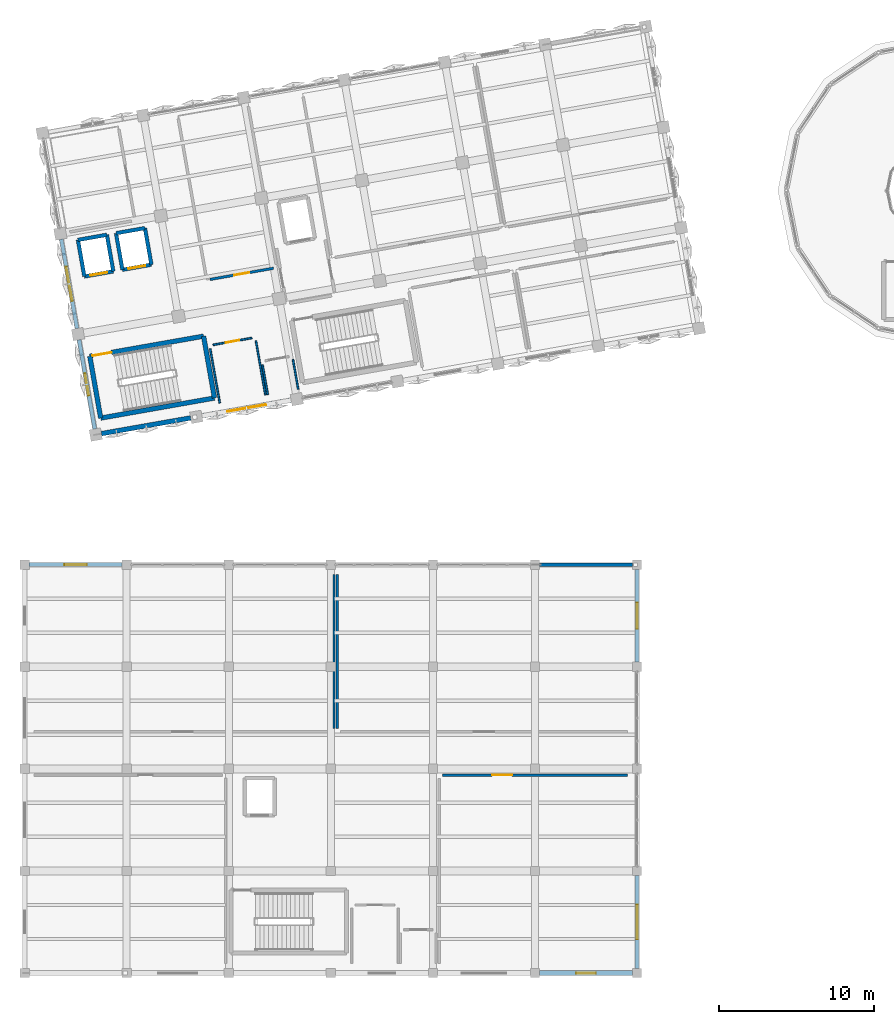
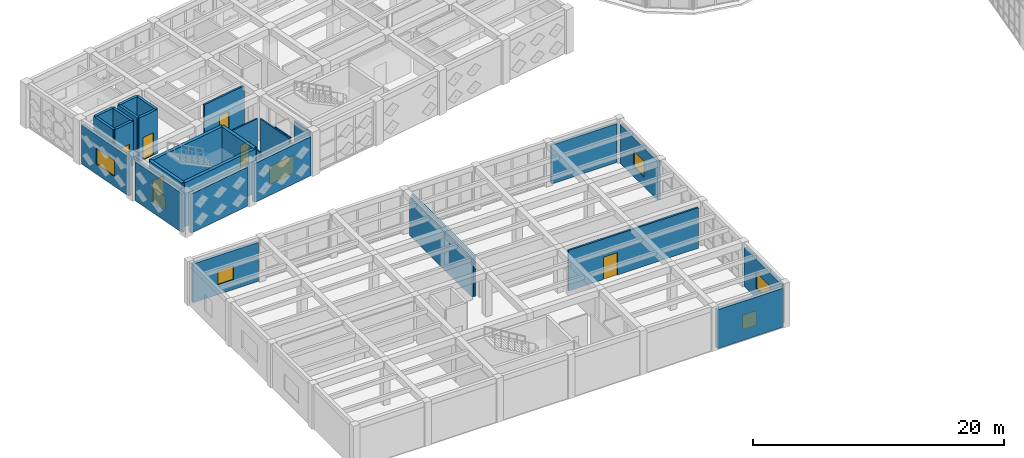
# One storey, part 66 of 80: 30 walls, 7 windows, 6 doors, 13 openings.
"""IFC4 building model written with IfcOpenShell, lengths in metres."""

from ifc_helpers import new_model, si_unit, direction, frame, frame_2d, origin, place, context, subcontext, project, spatial, rectangle, extrude, material, layer, layer_set, type_object, element, fill, save


model = new_model("IFC4")

# Units and contexts
model_context = context("Model", 3, precision=1e-05, world=origin(), true_north=direction((0.0, 1.0)))
body_context = subcontext(model_context, "Body", "Model", "MODEL_VIEW")
ifc_project = project(units=[si_unit("LENGTHUNIT", "METRE"), si_unit("AREAUNIT", "SQUARE_METRE"), si_unit("VOLUMEUNIT", "CUBIC_METRE"), si_unit("PLANEANGLEUNIT", "RADIAN"), si_unit("MASSUNIT", "GRAM", prefix="KILO")], contexts=[model_context])

# Site, building, storey
site_placement = place(None, origin())
site = spatial("IfcSite", under=ifc_project, at=site_placement, CompositionType="ELEMENT")
building_placement = place(site_placement, origin())
building = spatial("IfcBuilding", under=site, at=building_placement, Name="Kharisveld Research Institute", CompositionType="ELEMENT")
storey_placement = place(building_placement, frame((0.0, 0.0, 5.10009765625)))
storey = spatial("IfcBuildingStorey", under=building, at=storey_placement, Name="L01", CompositionType="ELEMENT", Elevation=5.10009765625)

# Walls
ifc_material_1 = material(Name="Flush Pharmaceutical Panel", Category="mineral")
ifc_layer_1 = layer(ifc_material_1, 0.155029296875)
ifc_layer_set_1 = layer_set([ifc_layer_1], Name="WL_CLN_155")
wall_type_1 = type_object("IfcWallType", Name="WL_CLN_155", PredefinedType="PARTITIONING", material=ifc_layer_set_1)
wall_1_placement = place(storey_placement, frame((20.60009765625, 16.02001953125, 0.0), z_axis=(0.0, 0.0, 1.0), x_axis=(0.0, 1.0, 0.0)))
element("IfcWall", 1, at=wall_1_placement, inside=storey, type_object=wall_type_1, Name="WL:RM:V3:L01:CR7:E", PredefinedType="PARTITIONING", context=body_context, shape_type="SweptSolid", body=[
    extrude(rectangle(XDim=9.9599609375, YDim=0.155029296875, at=frame_2d((4.97998046875, 0.0))), origin(), (0.0, 0.0, 1.0), 3.635009765625),
])
ifc_material_2 = material(Name="Concrete C40/50", Category="concrete")
ifc_layer_2 = layer(ifc_material_2, 0.239990234375)
ifc_layer_set_2 = layer_set([ifc_layer_2], Name="WL_CORE_240")
wall_type_2 = type_object("IfcWallType", Name="WL_CORE_240", PredefinedType="SHEAR", material=ifc_layer_set_2)
wall_2_placement = place(storey_placement, frame((4.462890625, 45.2373046875, 0.0), z_axis=(0.0, 0.0, 1.0), x_axis=(-0.173646056486, 0.984808127031, 0.0)))
element("IfcWall", 2, at=wall_2_placement, inside=storey, type_object=wall_type_2, Name="WL:LFT:PL-01:L01:W", PredefinedType="SHEAR", context=body_context, shape_type="SweptSolid", body=[
    extrude(rectangle(XDim=2.39990234375, YDim=0.239990234375, at=frame_2d((1.199951171875, 0.0))), origin(), (0.0, 0.0, 1.0), 4.27978515625),
])
wall_3_placement = place(storey_placement, frame((4.046142578125, 47.600830078125, 0.0), z_axis=(0.0, 0.0, 1.0), x_axis=(0.984793905749, 0.173726691098, 0.0)))
element("IfcWall", 3, at=wall_3_placement, inside=storey, type_object=wall_type_2, Name="WL:LFT:PL-01:L01:N", PredefinedType="SHEAR", context=body_context, shape_type="SweptSolid", body=[
    extrude(rectangle(XDim=1.89990234375, YDim=0.239990234375, at=frame_2d((0.949951171875, 0.0))), origin(), (0.0, 0.0, 1.0), 4.27978515625),
])
wall_4_placement = place(storey_placement, frame((5.917236328125, 47.930908203125, 0.0), z_axis=(0.0, 0.0, 1.0), x_axis=(0.173646056486, -0.984808127031, 0.0)))
element("IfcWall", 4, at=wall_4_placement, inside=storey, type_object=wall_type_2, Name="WL:LFT:PL-01:L01:E", PredefinedType="SHEAR", context=body_context, shape_type="SweptSolid", body=[
    extrude(rectangle(XDim=2.39990234375, YDim=0.239990234375, at=frame_2d((1.199951171875, 0.0))), origin(), (0.0, 0.0, 1.0), 4.27978515625),
])

# Wall, opening, door
wall_5_placement = place(storey_placement, frame((6.333984375, 45.5673828125, 0.0), z_axis=(0.0, 0.0, 1.0), x_axis=(-0.984793905749, -0.173726691098, 0.0)))
wall_5 = element("IfcWall", 5, at=wall_5_placement, inside=storey, type_object=wall_type_2, Name="WL:LFT:PL-01:L01:S", PredefinedType="SHEAR", context=body_context, shape_type="SweptSolid", body=[
    extrude(rectangle(XDim=1.89990234375, YDim=0.239990234375, at=frame_2d((0.949951171875, 0.0))), origin(), (0.0, 0.0, 1.0), 4.27978515625),
])
opening_1_placement = place(wall_5_placement, frame((0.39990234375, 0.0, 0.0)))
opening_1 = element("IfcOpeningElement", 6, at=opening_1_placement, cuts=wall_5, Name="Opening LD-01", PredefinedType="OPENING", context=body_context, shape_type="SweptSolid", body=[
    extrude(rectangle(XDim=1.10009765625, YDim=2.199951171875, at=frame_2d((0.550048828125, 1.10009765625))), frame((0.0, 0.1201171875, 0.0), z_axis=(0.0, -1.0, 0.0), x_axis=(1.0, 0.0, 0.0)), (0.0, 0.0, 1.0), 0.239990234375),
])
ifc_material_3 = material(Name="Flush Painted Hardwood and Anodised Aluminium", Category="wood")
door_type_1 = type_object("IfcDoorType", Name="DR_LFT_110", OperationType="SLIDING_TO_LEFT", PredefinedType="DOOR", material=ifc_material_3)
door_1_placement = place(opening_1_placement, origin())
door_1 = element("IfcDoor", 7, at=door_1_placement, inside=storey, type_object=door_type_1, Name="PL-01 Lift Landing Door L01", OperationType="SLIDING_TO_LEFT", OverallHeight=2.199951171875, OverallWidth=1.10009765625, PredefinedType="DOOR", context=body_context, shape_type="SweptSolid", body=[
    extrude(rectangle(XDim=1.10009765625, YDim=2.199951171875, at=frame_2d((0.550048828125, 1.10009765625))), frame((0.0, 0.02490234375, 0.0), z_axis=(0.0, -1.0, 0.0), x_axis=(1.0, 0.0, 0.0)), (0.0, 0.0, 1.0), 0.050048828125),
])
fill(opening_1, door_1)

# Walls
wall_6_placement = place(storey_placement, frame((6.9248046875, 45.67138671875, 0.0), z_axis=(0.0, 0.0, 1.0), x_axis=(-0.173646056486, 0.984808127031, 0.0)))
element("IfcWall", 8, at=wall_6_placement, inside=storey, type_object=wall_type_2, Name="WL:LFT:PL-02:L01:W", PredefinedType="SHEAR", context=body_context, shape_type="SweptSolid", body=[
    extrude(rectangle(XDim=2.39990234375, YDim=0.239990234375, at=frame_2d((1.199951171875, 0.0))), origin(), (0.0, 0.0, 1.0), 4.27978515625),
])
wall_7_placement = place(storey_placement, frame((6.508056640625, 48.034912109375, 0.0), z_axis=(0.0, 0.0, 1.0), x_axis=(0.984793905749, 0.173726691098, 0.0)))
element("IfcWall", 9, at=wall_7_placement, inside=storey, type_object=wall_type_2, Name="WL:LFT:PL-02:L01:N", PredefinedType="SHEAR", context=body_context, shape_type="SweptSolid", body=[
    extrude(rectangle(XDim=1.89990234375, YDim=0.239990234375, at=frame_2d((0.949951171875, 0.0))), origin(), (0.0, 0.0, 1.0), 4.27978515625),
])
wall_8_placement = place(storey_placement, frame((8.379150390625, 48.364990234375, 0.0), z_axis=(0.0, 0.0, 1.0), x_axis=(0.173646056486, -0.984808127031, 0.0)))
element("IfcWall", 10, at=wall_8_placement, inside=storey, type_object=wall_type_2, Name="WL:LFT:PL-02:L01:E", PredefinedType="SHEAR", context=body_context, shape_type="SweptSolid", body=[
    extrude(rectangle(XDim=2.39990234375, YDim=0.239990234375, at=frame_2d((1.199951171875, 0.0))), origin(), (0.0, 0.0, 1.0), 4.27978515625),
])

# Wall, opening, door
wall_9_placement = place(storey_placement, frame((8.7958984375, 46.00146484375, 0.0), z_axis=(0.0, 0.0, 1.0), x_axis=(-0.984793905749, -0.173726691098, 0.0)))
wall_9 = element("IfcWall", 11, at=wall_9_placement, inside=storey, type_object=wall_type_2, Name="WL:LFT:PL-02:L01:S", PredefinedType="SHEAR", context=body_context, shape_type="SweptSolid", body=[
    extrude(rectangle(XDim=1.89990234375, YDim=0.239990234375, at=frame_2d((0.949951171875, 0.0))), origin(), (0.0, 0.0, 1.0), 4.27978515625),
])
opening_2_placement = place(wall_9_placement, frame((0.39990234375, 0.0, 0.0)))
opening_2 = element("IfcOpeningElement", 12, at=opening_2_placement, cuts=wall_9, Name="Opening LD-01", PredefinedType="OPENING", context=body_context, shape_type="SweptSolid", body=[
    extrude(rectangle(XDim=1.10009765625, YDim=2.199951171875, at=frame_2d((0.550048828125, 1.10009765625))), frame((0.0, 0.1201171875, 0.0), z_axis=(0.0, -1.0, 0.0), x_axis=(1.0, 0.0, 0.0)), (0.0, 0.0, 1.0), 0.239990234375),
])
door_2_placement = place(opening_2_placement, origin())
door_2 = element("IfcDoor", 13, at=door_2_placement, inside=storey, type_object=door_type_1, Name="PL-02 Lift Landing Door L01", OperationType="SLIDING_TO_LEFT", OverallHeight=2.199951171875, OverallWidth=1.10009765625, PredefinedType="DOOR", context=body_context, shape_type="SweptSolid", body=[
    extrude(rectangle(XDim=1.10009765625, YDim=2.199951171875, at=frame_2d((0.550048828125, 1.10009765625))), frame((0.0, 0.02490234375, 0.0), z_axis=(0.0, -1.0, 0.0), x_axis=(1.0, 0.0, 0.0)), (0.0, 0.0, 1.0), 0.050048828125),
])
fill(opening_2, door_2)

# Wall
ifc_material_4 = material(Name="Concrete C40/50", Category="concrete")
ifc_layer_3 = layer(ifc_material_4, 0.300048828125)
ifc_layer_set_3 = layer_set([ifc_layer_3], Name="WL_CORE_300")
wall_type_3 = type_object("IfcWallType", Name="WL_CORE_300", PredefinedType="SHEAR", material=ifc_layer_set_3)
wall_10_placement = place(storey_placement, frame((5.518798828125, 36.08154296875, 0.0), z_axis=(0.0, 0.0, 1.0), x_axis=(-0.173665267602, 0.984804739443, 0.0)))
element("IfcWall", 14, at=wall_10_placement, inside=storey, type_object=wall_type_3, Name="WL:STR:ST1:L01:W", PredefinedType="SHEAR", context=body_context, shape_type="SweptSolid", body=[
    extrude(rectangle(XDim=4.06005859375, YDim=0.300048828125, at=frame_2d((2.030029296875, 0.0))), origin(), (0.0, 0.0, 1.0), 4.27978515625),
])

# Wall, opening, door
wall_11_placement = place(storey_placement, frame((4.813720703125, 40.079833984375, 0.0), z_axis=(0.0, 0.0, 1.0), x_axis=(0.984802636214, 0.173677193974, 0.0)))
wall_11 = element("IfcWall", 15, at=wall_11_placement, inside=storey, type_object=wall_type_3, Name="WL:STR:ST1:L01:N", PredefinedType="SHEAR", context=body_context, shape_type="SweptSolid", body=[
    extrude(rectangle(XDim=7.469970703125, YDim=0.300048828125, at=frame_2d((3.73486328125, 0.0))), origin(), (0.0, 0.0, 1.0), 4.27978515625),
])
opening_3_placement = place(wall_11_placement, frame((0.179931640625, 0.0, 0.0)))
opening_3 = element("IfcOpeningElement", 16, at=opening_3_placement, cuts=wall_11, Name="Opening DS-003", PredefinedType="OPENING", context=body_context, shape_type="SweptSolid", body=[
    extrude(rectangle(XDim=1.239990234375, YDim=2.14990234375, at=frame_2d((0.6201171875, 1.074951171875))), frame((0.0, 0.14990234375, 0.0), z_axis=(0.0, -1.0, 0.0), x_axis=(1.0, 0.0, 0.0)), (0.0, 0.0, 1.0), 0.300048828125),
])
ifc_material_5 = material(Name="Flush Painted Hardwood and Anodised Aluminium", Category="wood")
door_type_2 = type_object("IfcDoorType", Name="DR_FD60_124", OperationType="NOTDEFINED", PredefinedType="DOOR", material=ifc_material_5)
door_3_placement = place(opening_3_placement, origin())
door_3 = element("IfcDoor", 17, at=door_3_placement, inside=storey, type_object=door_type_2, Name="DR:STR:ST1:L01", OperationType="SINGLE_SWING_RIGHT", OverallHeight=2.14990234375, OverallWidth=1.239990234375, PredefinedType="DOOR", context=body_context, shape_type="SweptSolid", body=[
    extrude(rectangle(XDim=1.239990234375, YDim=2.14990234375, at=frame_2d((0.6201171875, 1.074951171875))), frame((0.0, 0.02490234375, 0.0), z_axis=(0.0, -1.0, 0.0), x_axis=(1.0, 0.0, 0.0)), (0.0, 0.0, 1.0), 0.050048828125),
])
fill(opening_3, door_3)

# Walls
wall_12_placement = place(storey_placement, frame((12.170166015625, 41.377197265625, 0.0), z_axis=(0.0, 0.0, 1.0), x_axis=(0.173654983803, -0.984806552883, 0.0)))
element("IfcWall", 18, at=wall_12_placement, inside=storey, type_object=wall_type_3, Name="WL:STR:ST1:L01:E", PredefinedType="SHEAR", context=body_context, shape_type="SweptSolid", body=[
    extrude(rectangle(XDim=4.060302734375, YDim=0.300048828125, at=frame_2d((2.0302734375, 0.0))), origin(), (0.0, 0.0, 1.0), 4.27978515625),
])
wall_13_placement = place(storey_placement, frame((12.875244140625, 37.378662109375, 0.0), z_axis=(0.0, 0.0, 1.0), x_axis=(-0.984808225754, -0.173645496596, 0.0)))
element("IfcWall", 19, at=wall_13_placement, inside=storey, type_object=wall_type_3, Name="WL:STR:ST1:L01:S", PredefinedType="SHEAR", context=body_context, shape_type="SweptSolid", body=[
    extrude(rectangle(XDim=7.469970703125, YDim=0.300048828125, at=frame_2d((3.73486328125, 0.0))), origin(), (0.0, 0.0, 1.0), 4.27978515625),
])

# Wall, opening, window
ifc_material_6 = material(Name="Lightweight Acoustic Spandrel", Category="mineral")
ifc_layer_4 = layer(ifc_material_6, 0.2451171875)
ifc_layer_set_4 = layer_set([ifc_layer_4], Name="WL_EXT_245")
wall_type_4 = type_object("IfcWallType", Name="WL_EXT_245", PredefinedType="STANDARD", material=ifc_layer_set_4)
wall_14_placement = place(storey_placement, frame((3.98974609375, 41.8740234375, 0.0), z_axis=(0.0, 0.0, 1.0), x_axis=(-0.1736474839, 0.984807875342, 0.0)))
wall_14 = element("IfcWall", 20, at=wall_14_placement, inside=storey, type_object=wall_type_4, Name="WL:V1:L01:W1", PredefinedType="STANDARD", context=body_context, shape_type="SweptSolid", body=[
    extrude(rectangle(XDim=5.860107421875, YDim=0.2451171875, at=frame_2d((2.93017578125, 0.0))), origin(), (0.0, 0.0, 1.0), 3.794921875),
])
opening_4_placement = place(wall_14_placement, frame((1.804931640625, 0.0, 0.949951171875)))
opening_4 = element("IfcOpeningElement", 21, at=opening_4_placement, cuts=wall_14, Name="Opening WN-14", PredefinedType="OPENING", context=body_context, shape_type="SweptSolid", body=[
    extrude(rectangle(XDim=2.25, YDim=1.550048828125, at=frame_2d((1.125, 0.77490234375))), frame((0.0, 0.12255859375, 0.0), z_axis=(0.0, -1.0, 0.0), x_axis=(1.0, 0.0, 0.0)), (0.0, 0.0, 1.0), 0.2451171875),
])
ifc_material_7 = material(Name="Low-E Double Glazing", Category="glass")
window_type_1 = type_object("IfcWindowType", Name="WN_14", PartitioningType="DOUBLE_PANEL_VERTICAL", PredefinedType="WINDOW", material=ifc_material_7)
window_1_placement = place(opening_4_placement, origin())
window_1 = element("IfcWindow", 22, at=window_1_placement, inside=storey, type_object=window_type_1, Name="WN:V1:L01:W1", OverallHeight=1.550048828125, OverallWidth=2.25, PartitioningType="SINGLE_PANEL", PredefinedType="WINDOW", context=body_context, shape_type="SweptSolid", body=[
    extrude(rectangle(XDim=2.25, YDim=1.550048828125, at=frame_2d((1.125, 0.77490234375))), frame((0.0, 0.030029296875, 0.0), z_axis=(0.0, -1.0, 0.0), x_axis=(1.0, 0.0, 0.0)), (0.0, 0.0, 1.0), 0.06005859375),
])
fill(opening_4, window_1)

# Wall
wall_15_placement = place(storey_placement, frame((33.89501953125, 26.60009765625, 0.0), z_axis=(0.0, 0.0, 1.0), x_axis=(1.0, 0.0, 0.0)))
element("IfcWall", 23, at=wall_15_placement, inside=storey, type_object=wall_type_4, Name="WL:V3:L01:N5", PredefinedType="STANDARD", context=body_context, shape_type="SweptSolid", body=[
    extrude(rectangle(XDim=6.010009765625, YDim=0.2451171875, at=frame_2d((3.0048828125, 0.0))), origin(), (0.0, 0.0, 1.0), 3.784912109375),
])

# Wall, opening, window
wall_16_placement = place(storey_placement, frame((40.199951171875, 6.5048828125, 0.0), z_axis=(0.0, 0.0, 1.0), x_axis=(0.0, -1.0, 0.0)))
wall_16 = element("IfcWall", 24, at=wall_16_placement, inside=storey, type_object=wall_type_4, Name="WL:V3:L01:E1", PredefinedType="STANDARD", context=body_context, shape_type="SweptSolid", body=[
    extrude(rectangle(XDim=6.009765625, YDim=0.2451171875, at=frame_2d((3.0048828125, 0.0))), origin(), (0.0, 0.0, 1.0), 3.784912109375),
])
opening_5_placement = place(wall_16_placement, frame((1.8798828125, 0.0, 0.949951171875)))
opening_5 = element("IfcOpeningElement", 25, at=opening_5_placement, cuts=wall_16, Name="Opening WN-14", PredefinedType="OPENING", context=body_context, shape_type="SweptSolid", body=[
    extrude(rectangle(XDim=2.25, YDim=1.550048828125, at=frame_2d((1.125, 0.77490234375))), frame((0.0, 0.12255859375, 0.0), z_axis=(0.0, -1.0, 0.0), x_axis=(1.0, 0.0, 0.0)), (0.0, 0.0, 1.0), 0.2451171875),
])
window_2_placement = place(opening_5_placement, origin())
window_2 = element("IfcWindow", 26, at=window_2_placement, inside=storey, type_object=window_type_1, Name="WN:V3:L01:E1", OverallHeight=1.550048828125, OverallWidth=2.25, PartitioningType="SINGLE_PANEL", PredefinedType="WINDOW", context=body_context, shape_type="SweptSolid", body=[
    extrude(rectangle(XDim=2.25, YDim=1.550048828125, at=frame_2d((1.125, 0.77490234375))), frame((0.0, 0.030029296875, 0.0), z_axis=(0.0, -1.0, 0.0), x_axis=(1.0, 0.0, 0.0)), (0.0, 0.0, 1.0), 0.06005859375),
])
fill(opening_5, window_2)

ifc_material_8 = material(Name="Precast Concrete C40/50 Thermal Wall", Category="concrete")
ifc_layer_5 = layer(ifc_material_8, 0.260009765625)
ifc_layer_set_5 = layer_set([ifc_layer_5], Name="WL_EXT_260")
wall_type_5 = type_object("IfcWallType", Name="WL_EXT_260", PredefinedType="STANDARD", material=ifc_layer_set_5)
wall_17_placement = place(storey_placement, frame((5.1357421875, 35.374267578125, 0.0), z_axis=(0.0, 0.0, 1.0), x_axis=(-0.1736474839, 0.984807875342, 0.0)))
wall_17 = element("IfcWall", 27, at=wall_17_placement, inside=storey, type_object=wall_type_5, Name="WL:V1:L01:W0", PredefinedType="STANDARD", context=body_context, shape_type="SweptSolid", body=[
    extrude(rectangle(XDim=5.860107421875, YDim=0.260009765625, at=frame_2d((2.93017578125, 0.0))), origin(), (0.0, 0.0, 1.0), 3.794921875),
])
opening_6_placement = place(wall_17_placement, frame((2.205078125, 0.0, 0.949951171875)))
opening_6 = element("IfcOpeningElement", 28, at=opening_6_placement, cuts=wall_17, Name="Opening WN-13", PredefinedType="OPENING", context=body_context, shape_type="SweptSolid", body=[
    extrude(rectangle(XDim=1.449951171875, YDim=1.35009765625, at=frame_2d((0.72509765625, 0.675048828125))), frame((0.0, 0.1298828125, 0.0), z_axis=(0.0, -1.0, 0.0), x_axis=(1.0, 0.0, 0.0)), (0.0, 0.0, 1.0), 0.260009765625),
])
ifc_material_9 = material(Name="Low-E Double Glazing", Category="glass")
window_type_2 = type_object("IfcWindowType", Name="WN_13", PartitioningType="DOUBLE_PANEL_VERTICAL", PredefinedType="WINDOW", material=ifc_material_9)
window_3_placement = place(opening_6_placement, origin())
window_3 = element("IfcWindow", 29, at=window_3_placement, inside=storey, type_object=window_type_2, Name="WN:V1:L01:W0", OverallHeight=1.35009765625, OverallWidth=1.449951171875, PartitioningType="SINGLE_PANEL", PredefinedType="WINDOW", context=body_context, shape_type="SweptSolid", body=[
    extrude(rectangle(XDim=1.449951171875, YDim=1.35009765625, at=frame_2d((0.72509765625, 0.675048828125))), frame((0.0, 0.030029296875, 0.0), z_axis=(0.0, -1.0, 0.0), x_axis=(1.0, 0.0, 0.0)), (0.0, 0.0, 1.0), 0.06005859375),
])
fill(opening_6, window_3)

wall_18_placement = place(storey_placement, frame((0.89501953125, 26.60009765625, 0.0), z_axis=(0.0, 0.0, 1.0), x_axis=(1.0, 0.0, 0.0)))
wall_18 = element("IfcWall", 30, at=wall_18_placement, inside=storey, type_object=wall_type_5, Name="WL:V3:L01:N0", PredefinedType="STANDARD", context=body_context, shape_type="SweptSolid", body=[
    extrude(rectangle(XDim=6.010009765625, YDim=0.260009765625, at=frame_2d((3.0048828125, 0.0))), origin(), (0.0, 0.0, 1.0), 3.784912109375),
])
opening_7_placement = place(wall_18_placement, frame((2.280029296875, 0.0, 0.949951171875)))
opening_7 = element("IfcOpeningElement", 31, at=opening_7_placement, cuts=wall_18, Name="Opening WN-13", PredefinedType="OPENING", context=body_context, shape_type="SweptSolid", body=[
    extrude(rectangle(XDim=1.449951171875, YDim=1.35009765625, at=frame_2d((0.72509765625, 0.675048828125))), frame((0.0, 0.1298828125, 0.0), z_axis=(0.0, -1.0, 0.0), x_axis=(1.0, 0.0, 0.0)), (0.0, 0.0, 1.0), 0.260009765625),
])
window_4_placement = place(opening_7_placement, origin())
window_4 = element("IfcWindow", 32, at=window_4_placement, inside=storey, type_object=window_type_2, Name="WN:V3:L01:N0", OverallHeight=1.35009765625, OverallWidth=1.449951171875, PartitioningType="SINGLE_PANEL", PredefinedType="WINDOW", context=body_context, shape_type="SweptSolid", body=[
    extrude(rectangle(XDim=1.449951171875, YDim=1.35009765625, at=frame_2d((0.72509765625, 0.675048828125))), frame((0.0, 0.030029296875, 0.0), z_axis=(0.0, -1.0, 0.0), x_axis=(1.0, 0.0, 0.0)), (0.0, 0.0, 1.0), 0.06005859375),
])
fill(opening_7, window_4)

wall_19_placement = place(storey_placement, frame((40.199951171875, 26.304931640625, 0.0), z_axis=(0.0, 0.0, 1.0), x_axis=(0.0, -1.0, 0.0)))
wall_19 = element("IfcWall", 33, at=wall_19_placement, inside=storey, type_object=wall_type_5, Name="WL:V3:L01:E4", PredefinedType="STANDARD", context=body_context, shape_type="SweptSolid", body=[
    extrude(rectangle(XDim=6.010009765625, YDim=0.260009765625, at=frame_2d((3.0048828125, 0.0))), origin(), (0.0, 0.0, 1.0), 3.784912109375),
])
opening_8_placement = place(wall_19_placement, frame((2.155029296875, 0.0, 0.949951171875)))
opening_8 = element("IfcOpeningElement", 34, at=opening_8_placement, cuts=wall_19, Name="Opening WN-17", PredefinedType="OPENING", context=body_context, shape_type="SweptSolid", body=[
    extrude(rectangle(XDim=1.699951171875, YDim=1.550048828125, at=frame_2d((0.85009765625, 0.77490234375))), frame((0.0, 0.1298828125, 0.0), z_axis=(0.0, -1.0, 0.0), x_axis=(1.0, 0.0, 0.0)), (0.0, 0.0, 1.0), 0.260009765625),
])
ifc_material_10 = material(Name="Low-E Double Glazing", Category="glass")
window_type_3 = type_object("IfcWindowType", Name="WN_17", PartitioningType="DOUBLE_PANEL_VERTICAL", PredefinedType="WINDOW", material=ifc_material_10)
window_5_placement = place(opening_8_placement, origin())
window_5 = element("IfcWindow", 35, at=window_5_placement, inside=storey, type_object=window_type_3, Name="WN:V3:L01:E4", OverallHeight=1.550048828125, OverallWidth=1.699951171875, PartitioningType="SINGLE_PANEL", PredefinedType="WINDOW", context=body_context, shape_type="SweptSolid", body=[
    extrude(rectangle(XDim=1.699951171875, YDim=1.550048828125, at=frame_2d((0.85009765625, 0.77490234375))), frame((0.0, 0.030029296875, 0.0), z_axis=(0.0, -1.0, 0.0), x_axis=(1.0, 0.0, 0.0)), (0.0, 0.0, 1.0), 0.06005859375),
])
fill(opening_8, window_5)

ifc_material_11 = material(Name="Precast Concrete C40/50 Ochre Panel", Category="concrete")
ifc_layer_6 = layer(ifc_material_11, 0.304931640625)
ifc_layer_set_6 = layer_set([ifc_layer_6], Name="WL_EXT_305")
wall_type_6 = type_object("IfcWallType", Name="WL_EXT_305", PredefinedType="STANDARD", material=ifc_layer_set_6)
wall_20_placement = place(storey_placement, frame((17.8349609375, 37.23779296875, 0.0), z_axis=(0.0, 0.0, 1.0), x_axis=(-0.98480661901, -0.173654608793, 0.0)))
wall_20 = element("IfcWall", 36, at=wall_20_placement, inside=storey, type_object=wall_type_6, Name="WL:V1:L01:S2", PredefinedType="STANDARD", context=body_context, shape_type="SweptSolid", body=[
    extrude(rectangle(XDim=5.85986328125, YDim=0.304931640625, at=frame_2d((2.929931640625, 0.0))), origin(), (0.0, 0.0, 1.0), 3.794921875),
])
opening_9_placement = place(wall_20_placement, frame((1.655029296875, 0.0, 0.949951171875)))
opening_9 = element("IfcOpeningElement", 37, at=opening_9_placement, cuts=wall_20, Name="Opening WN-15", PredefinedType="OPENING", context=body_context, shape_type="SweptSolid", body=[
    extrude(rectangle(XDim=2.550048828125, YDim=1.75, at=frame_2d((1.27490234375, 0.875))), frame((0.0, 0.15234375, 0.0), z_axis=(0.0, -1.0, 0.0), x_axis=(1.0, 0.0, 0.0)), (0.0, 0.0, 1.0), 0.304931640625),
])
ifc_material_12 = material(Name="Low-E Double Glazing", Category="glass")
window_type_4 = type_object("IfcWindowType", Name="WN_15", PartitioningType="TRIPLE_PANEL_VERTICAL", PredefinedType="WINDOW", material=ifc_material_12)
window_6_placement = place(opening_9_placement, origin())
window_6 = element("IfcWindow", 38, at=window_6_placement, inside=storey, type_object=window_type_4, Name="WN:V1:L01:S2", OverallHeight=1.75, OverallWidth=2.550048828125, PartitioningType="SINGLE_PANEL", PredefinedType="WINDOW", context=body_context, shape_type="SweptSolid", body=[
    extrude(rectangle(XDim=2.550048828125, YDim=1.75, at=frame_2d((1.27490234375, 0.875))), frame((0.0, 0.030029296875, 0.0), z_axis=(0.0, -1.0, 0.0), x_axis=(1.0, 0.0, 0.0)), (0.0, 0.0, 1.0), 0.06005859375),
])
fill(opening_9, window_6)

# Wall
wall_21_placement = place(storey_placement, frame((11.33544921875, 36.091796875, 0.0), z_axis=(0.0, 0.0, 1.0), x_axis=(-0.984807875342, -0.1736474839, 0.0)))
element("IfcWall", 39, at=wall_21_placement, inside=storey, type_object=wall_type_6, Name="WL:V1:L01:S1", PredefinedType="STANDARD", context=body_context, shape_type="SweptSolid", body=[
    extrude(rectangle(XDim=5.860107421875, YDim=0.304931640625, at=frame_2d((2.93017578125, 0.0))), origin(), (0.0, 0.0, 1.0), 3.794921875),
])

# Wall, opening, window
wall_22_placement = place(storey_placement, frame((39.905029296875, 0.199951171875, 0.0), z_axis=(0.0, 0.0, 1.0), x_axis=(-1.0, 0.0, 0.0)))
wall_22 = element("IfcWall", 40, at=wall_22_placement, inside=storey, type_object=wall_type_6, Name="WL:V3:L01:S6", PredefinedType="STANDARD", context=body_context, shape_type="SweptSolid", body=[
    extrude(rectangle(XDim=6.010009765625, YDim=0.304931640625, at=frame_2d((3.0048828125, 0.0))), origin(), (0.0, 0.0, 1.0), 3.784912109375),
])
opening_10_placement = place(wall_22_placement, frame((2.364990234375, 0.0, 0.949951171875)))
opening_10 = element("IfcOpeningElement", 41, at=opening_10_placement, cuts=wall_22, Name="Opening WN-19", PredefinedType="OPENING", context=body_context, shape_type="SweptSolid", body=[
    extrude(rectangle(XDim=1.280029296875, YDim=1.419921875, at=frame_2d((0.64013671875, 0.7099609375))), frame((0.0, 0.15234375, 0.0), z_axis=(0.0, -1.0, 0.0), x_axis=(1.0, 0.0, 0.0)), (0.0, 0.0, 1.0), 0.304931640625),
])
ifc_material_13 = material(Name="Low-E Double Glazing", Category="glass")
window_type_5 = type_object("IfcWindowType", Name="WN_19", PartitioningType="SINGLE_PANEL", PredefinedType="WINDOW", material=ifc_material_13)
window_7_placement = place(opening_10_placement, origin())
window_7 = element("IfcWindow", 42, at=window_7_placement, inside=storey, type_object=window_type_5, Name="WN:V3:L01:S6", OverallHeight=1.419921875, OverallWidth=1.280029296875, PartitioningType="SINGLE_PANEL", PredefinedType="WINDOW", context=body_context, shape_type="SweptSolid", body=[
    extrude(rectangle(XDim=1.280029296875, YDim=1.419921875, at=frame_2d((0.64013671875, 0.7099609375))), frame((0.0, 0.030029296875, 0.0), z_axis=(0.0, -1.0, 0.0), x_axis=(1.0, 0.0, 0.0)), (0.0, 0.0, 1.0), 0.06005859375),
])
fill(opening_10, window_7)

# Wall, opening, door
ifc_material_14 = material(Name="Acoustic Drywall Partition", Category="mineral")
ifc_layer_7 = layer(ifc_material_14, 0.1650390625)
ifc_layer_set_7 = layer_set([ifc_layer_7], Name="WL_LAB_165")
wall_type_7 = type_object("IfcWallType", Name="WL_LAB_165", PredefinedType="PARTITIONING", material=ifc_layer_set_7)
wall_23_placement = place(storey_placement, frame((12.589599609375, 45.045654296875, 0.0), z_axis=(0.0, 0.0, 1.0), x_axis=(0.984805411783, 0.173661454915, 0.0)))
wall_23 = element("IfcWall", 43, at=wall_23_placement, inside=storey, type_object=wall_type_7, Name="WL:RM:V1:L01:N1:S", PredefinedType="PARTITIONING", context=body_context, shape_type="SweptSolid", body=[
    extrude(rectangle(XDim=4.159912109375, YDim=0.1650390625, at=frame_2d((2.080078125, 0.0))), origin(), (0.0, 0.0, 1.0), 3.949951171875),
])
opening_11_placement = place(wall_23_placement, frame((1.580078125, 0.0, 0.0)))
opening_11 = element("IfcOpeningElement", 44, at=opening_11_placement, cuts=wall_23, Name="Opening DI-076", PredefinedType="OPENING", context=body_context, shape_type="SweptSolid", body=[
    extrude(rectangle(XDim=1.0, YDim=2.139892578125, at=frame_2d((0.5, 1.06982421875))), frame((0.0, 0.08251953125, 0.0), z_axis=(0.0, -1.0, 0.0), x_axis=(1.0, 0.0, 0.0)), (0.0, 0.0, 1.0), 0.1650390625),
])
ifc_material_15 = material(Name="Flush Painted Hardwood and Anodised Aluminium", Category="wood")
door_type_3 = type_object("IfcDoorType", Name="DR_VAR_04", OperationType="NOTDEFINED", PredefinedType="DOOR", material=ifc_material_15)
door_4_placement = place(opening_11_placement, origin())
door_4 = element("IfcDoor", 45, at=door_4_placement, inside=storey, type_object=door_type_3, Name="DR:RM:V1:L01:N1:S", OperationType="SINGLE_SWING_LEFT", OverallHeight=2.139892578125, OverallWidth=1.0, PredefinedType="DOOR", context=body_context, shape_type="SweptSolid", body=[
    extrude(rectangle(XDim=1.0, YDim=2.139892578125, at=frame_2d((0.5, 1.06982421875))), frame((0.0, 0.02490234375, 0.0), z_axis=(0.0, -1.0, 0.0), x_axis=(1.0, 0.0, 0.0)), (0.0, 0.0, 1.0), 0.050048828125),
])
fill(opening_11, door_4)

# Wall
wall_24_placement = place(storey_placement, frame((20.800048828125, 25.97998046875, 0.0), z_axis=(0.0, 0.0, 1.0), x_axis=(0.0, -1.0, 0.0)))
element("IfcWall", 46, at=wall_24_placement, inside=storey, type_object=wall_type_7, Name="WL:RM:V3:L01:MTR:W", PredefinedType="PARTITIONING", context=body_context, shape_type="SweptSolid", body=[
    extrude(rectangle(XDim=9.9599609375, YDim=0.1650390625, at=frame_2d((4.97998046875, 0.0))), origin(), (0.0, 0.0, 1.0), 3.949951171875),
])

# Wall, opening, door
wall_25_placement = place(storey_placement, frame((39.580078125, 13.0, 0.0), z_axis=(0.0, 0.0, 1.0), x_axis=(-1.0, 0.0, 0.0)))
wall_25 = element("IfcWall", 47, at=wall_25_placement, inside=storey, type_object=wall_type_7, Name="WL:RM:V3:L01:SEM:N", PredefinedType="PARTITIONING", context=body_context, shape_type="SweptSolid", body=[
    extrude(rectangle(XDim=11.9599609375, YDim=0.1650390625, at=frame_2d((5.97998046875, 0.0))), origin(), (0.0, 0.0, 1.0), 3.949951171875),
])
opening_12_placement = place(wall_25_placement, frame((7.4619140625, 0.0, 0.0)))
opening_12 = element("IfcOpeningElement", 48, at=opening_12_placement, cuts=wall_25, Name="Opening DI-281", PredefinedType="OPENING", context=body_context, shape_type="SweptSolid", body=[
    extrude(rectangle(XDim=1.300048828125, YDim=2.179931640625, at=frame_2d((0.64990234375, 1.08984375))), frame((0.0, 0.08251953125, 0.0), z_axis=(0.0, -1.0, 0.0), x_axis=(1.0, 0.0, 0.0)), (0.0, 0.0, 1.0), 0.1650390625),
])
ifc_material_16 = material(Name="Flush Painted Hardwood and Anodised Aluminium", Category="wood")
door_type_4 = type_object("IfcDoorType", Name="DR_SEM_130", OperationType="DOUBLE_DOOR_SINGLE_SWING", PredefinedType="DOOR", material=ifc_material_16)
door_5_placement = place(opening_12_placement, origin())
door_5 = element("IfcDoor", 49, at=door_5_placement, inside=storey, type_object=door_type_4, Name="DR:RM:V3:L01:SEM:N", OperationType="DOUBLE_DOOR_SINGLE_SWING", OverallHeight=2.179931640625, OverallWidth=1.300048828125, PredefinedType="DOOR", context=body_context, shape_type="SweptSolid", body=[
    extrude(rectangle(XDim=1.300048828125, YDim=2.179931640625, at=frame_2d((0.64990234375, 1.08984375))), frame((0.0, 0.02490234375, 0.0), z_axis=(0.0, -1.0, 0.0), x_axis=(1.0, 0.0, 0.0)), (0.0, 0.0, 1.0), 0.050048828125),
])
fill(opening_12, door_5)

# Wall
ifc_material_17 = material(Name="Moisture-Resistant Partition", Category="mineral")
ifc_layer_8 = layer(ifc_material_17, 0.114990234375)
ifc_layer_set_8 = layer_set([ifc_layer_8], Name="WL_WC_115")
wall_type_8 = type_object("IfcWallType", Name="WL_WC_115", PredefinedType="PARTITIONING", material=ifc_layer_set_8)
wall_26_placement = place(storey_placement, frame((16.17138671875, 37.57421875, 0.0), z_axis=(0.0, 0.0, 1.0), x_axis=(-0.173644490041, 0.984808403233, 0.0)))
element("IfcWall", 50, at=wall_26_placement, inside=storey, type_object=wall_type_8, Name="WL:RM:V1:L01:WCM:E", PredefinedType="PARTITIONING", context=body_context, shape_type="SweptSolid", body=[
    extrude(rectangle(XDim=3.56005859375, YDim=0.114990234375, at=frame_2d((1.780029296875, 0.0))), origin(), (0.0, 0.0, 1.0), 3.949951171875),
])

# Wall, opening, door
wall_27_placement = place(storey_placement, frame((15.29833984375, 41.258544921875, 0.0), z_axis=(0.0, 0.0, 1.0), x_axis=(-0.984803714572, -0.17367107924, 0.0)))
wall_27 = element("IfcWall", 51, at=wall_27_placement, inside=storey, type_object=wall_type_8, Name="WL:RM:V1:L01:WCM:N", PredefinedType="PARTITIONING", context=body_context, shape_type="SweptSolid", body=[
    extrude(rectangle(XDim=2.559814453125, YDim=0.114990234375, at=frame_2d((1.27978515625, 0.0))), origin(), (0.0, 0.0, 1.0), 3.949951171875),
])
opening_13_placement = place(wall_27_placement, frame((0.830078125, 0.0, 0.0)))
opening_13 = element("IfcOpeningElement", 52, at=opening_13_placement, cuts=wall_27, Name="Opening DI-073", PredefinedType="OPENING", context=body_context, shape_type="SweptSolid", body=[
    extrude(rectangle(XDim=0.89990234375, YDim=2.10009765625, at=frame_2d((0.449951171875, 1.050048828125))), frame((0.0, 0.0576171875, 0.0), z_axis=(0.0, -1.0, 0.0), x_axis=(1.0, 0.0, 0.0)), (0.0, 0.0, 1.0), 0.114990234375),
])
ifc_material_18 = material(Name="Flush Painted Hardwood and Anodised Aluminium", Category="wood")
door_type_5 = type_object("IfcDoorType", Name="DR_WC_090", OperationType="NOTDEFINED", PredefinedType="DOOR", material=ifc_material_18)
door_6_placement = place(opening_13_placement, origin())
door_6 = element("IfcDoor", 53, at=door_6_placement, inside=storey, type_object=door_type_5, Name="DR:RM:V1:L01:WCM:N", OperationType="SINGLE_SWING_RIGHT", OverallHeight=2.10009765625, OverallWidth=0.89990234375, PredefinedType="DOOR", context=body_context, shape_type="SweptSolid", body=[
    extrude(rectangle(XDim=0.89990234375, YDim=2.10009765625, at=frame_2d((0.449951171875, 1.050048828125))), frame((0.0, 0.02490234375, 0.0), z_axis=(0.0, -1.0, 0.0), x_axis=(1.0, 0.0, 0.0)), (0.0, 0.0, 1.0), 0.050048828125),
])
fill(opening_13, door_6)

# Walls
wall_28_placement = place(storey_placement, frame((12.598876953125, 40.55908203125, 0.0), z_axis=(0.0, 0.0, 1.0), x_axis=(0.173644490041, -0.984808403233, 0.0)))
element("IfcWall", 54, at=wall_28_placement, inside=storey, type_object=wall_type_8, Name="WL:RM:V1:L01:WCM:W", PredefinedType="PARTITIONING", context=body_context, shape_type="SweptSolid", body=[
    extrude(rectangle(XDim=3.56005859375, YDim=0.114990234375, at=frame_2d((1.780029296875, 0.0))), origin(), (0.0, 0.0, 1.0), 3.949951171875),
])
wall_29_placement = place(storey_placement, frame((18.288818359375, 37.947509765625, 0.0), z_axis=(0.0, 0.0, 1.0), x_axis=(-0.173643211285, 0.984808628706, 0.0)))
element("IfcWall", 55, at=wall_29_placement, inside=storey, type_object=wall_type_8, Name="WL:RM:V1:L01:WCA:E", PredefinedType="PARTITIONING", context=body_context, shape_type="SweptSolid", body=[
    extrude(rectangle(XDim=1.9599609375, YDim=0.114990234375, at=frame_2d((0.97998046875, 0.0))), origin(), (0.0, 0.0, 1.0), 3.64501953125),
])
wall_30_placement = place(storey_placement, frame((15.978759765625, 39.5302734375, 0.0), z_axis=(0.0, 0.0, 1.0), x_axis=(0.173643211285, -0.984808628706, 0.0)))
element("IfcWall", 56, at=wall_30_placement, inside=storey, type_object=wall_type_8, Name="WL:RM:V1:L01:WCA:W", PredefinedType="PARTITIONING", context=body_context, shape_type="SweptSolid", body=[
    extrude(rectangle(XDim=1.9599609375, YDim=0.114990234375, at=frame_2d((0.97998046875, 0.0))), origin(), (0.0, 0.0, 1.0), 3.949951171875),
])

save(model, "model.ifc")
